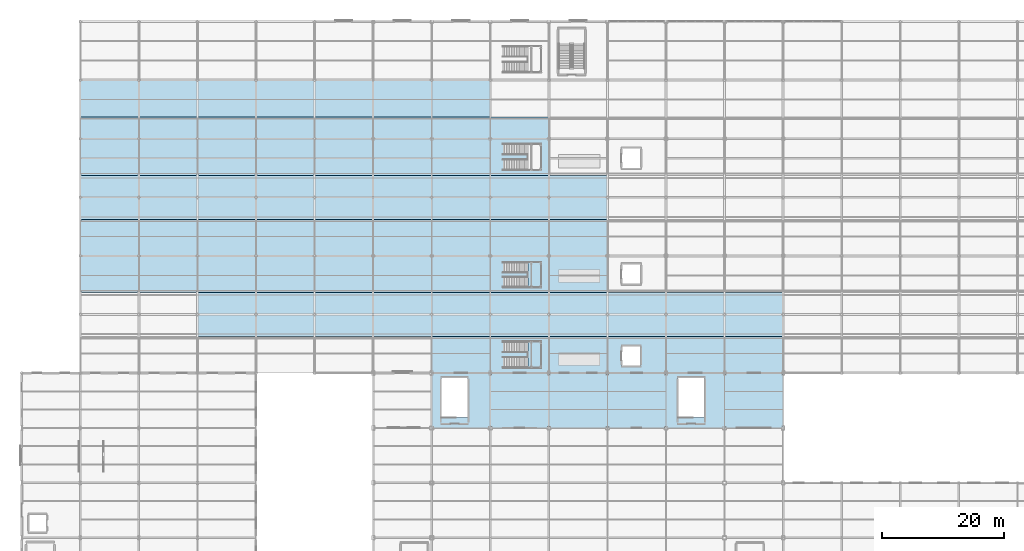
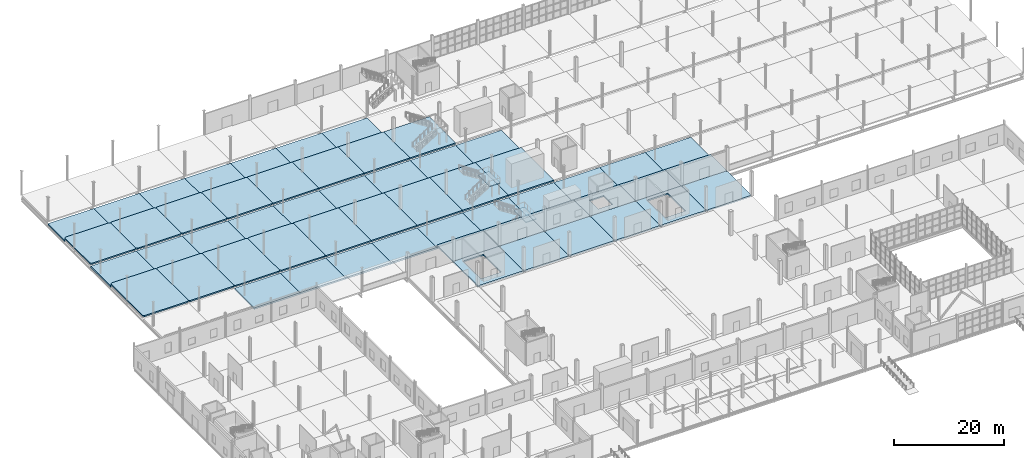
# One storey, part 49 of 85: 57 slabs, 2 elements without a shape of their own.
"""IFC4 building model written with IfcOpenShell, lengths in metres."""

from ifc_helpers import new_model, si_unit, direction, frame, origin, place, context, subcontext, project, spatial, polyline, outline, extrude, material, layer, layer_set, type_object, element, aggregate, save


model = new_model("IFC4")

# Units and contexts
model_context = context("Model", 3, precision=1e-05, world=origin(), true_north=direction((0.0, 1.0)))
body_context = subcontext(model_context, "Body", "Model", "MODEL_VIEW")
ifc_project = project(units=[si_unit("LENGTHUNIT", "METRE"), si_unit("AREAUNIT", "SQUARE_METRE"), si_unit("VOLUMEUNIT", "CUBIC_METRE"), si_unit("PLANEANGLEUNIT", "RADIAN"), si_unit("MASSUNIT", "GRAM", prefix="KILO")], contexts=[model_context])

# Site, building, storey
site_placement = place(None, origin())
site = spatial("IfcSite", under=ifc_project, at=site_placement, CompositionType="ELEMENT")
building_placement = place(site_placement, origin())
building = spatial("IfcBuilding", under=site, at=building_placement, Name="Zarnetskaya Central Station", CompositionType="ELEMENT")
storey_placement = place(building_placement, origin())
storey = spatial("IfcBuildingStorey", under=building, at=storey_placement, Name="L00", CompositionType="ELEMENT", Elevation=0.0)

# Slabs
ifc_material_1 = material(Name="Concrete C30/37", Category="concrete")
ifc_layer_1 = layer(ifc_material_1, 0.320068359375, Name="Concrete C30/37", Category="concrete")
ifc_layer_set_1 = layer_set([ifc_layer_1], Name="Concrete C30/37")
slab_type_1 = type_object("IfcSlabType", Name="SLAB-L00-320", PredefinedType="FLOOR", material=ifc_layer_set_1)
slab_1_placement = place(storey_placement, frame((0.0, 0.0, -0.320068359375)))
element("IfcSlab", 1, at=slab_1_placement, inside=storey, type_object=slab_type_1, Name="L00 slab H-J/8-9", PredefinedType="FLOOR", context=body_context, shape_type="SweptSolid", body=[
    extrude(outline(polyline([(67.199951171875, 58.199951171875), (76.800048828125, 58.199951171875), (76.800048828125, 67.199951171875), (67.199951171875, 67.199951171875), (67.199951171875, 58.199951171875)]), holes=[polyline([(68.800048828125, 59.905029296875), (73.10009765625, 59.905029296875), (73.10009765625, 66.39990234375), (68.800048828125, 66.39990234375), (68.800048828125, 59.905029296875)])]), origin(), (0.0, 0.0, 1.0), 0.320068359375),
])
slab_2_placement = place(storey_placement, frame((0.0, 0.0, -0.320068359375)))
element("IfcSlab", 2, at=slab_2_placement, inside=storey, type_object=slab_type_1, Name="L00 slab J-K/8-9", PredefinedType="FLOOR", context=body_context, shape_type="SweptSolid", body=[
    extrude(outline(polyline([(77.10009765625, 58.199951171875), (86.10009765625, 58.199951171875), (86.39990234375, 58.5), (86.39990234375, 66.89990234375), (86.10009765625, 67.199951171875), (77.10009765625, 67.199951171875), (76.800048828125, 66.89990234375), (76.800048828125, 58.5), (77.10009765625, 58.199951171875)])), origin(), (0.0, 0.0, 1.0), 0.320068359375),
])
slab_3_placement = place(storey_placement, frame((0.0, 0.0, -0.320068359375)))
element("IfcSlab", 3, at=slab_3_placement, inside=storey, type_object=slab_type_1, Name="L00 slab K-L/8-9", PredefinedType="FLOOR", context=body_context, shape_type="SweptSolid", body=[
    extrude(outline(polyline([(86.699951171875, 58.199951171875), (95.699951171875, 58.199951171875), (96.0, 58.5), (96.0, 66.89990234375), (95.699951171875, 67.199951171875), (86.699951171875, 67.199951171875), (86.39990234375, 66.89990234375), (86.39990234375, 58.5), (86.699951171875, 58.199951171875)])), origin(), (0.0, 0.0, 1.0), 0.320068359375),
])
slab_4_placement = place(storey_placement, frame((0.0, 0.0, -0.320068359375)))
element("IfcSlab", 4, at=slab_4_placement, inside=storey, type_object=slab_type_1, Name="L00 slab L-M/8-9", PredefinedType="FLOOR", context=body_context, shape_type="SweptSolid", body=[
    extrude(outline(polyline([(96.300048828125, 58.199951171875), (105.300048828125, 58.199951171875), (105.60009765625, 58.5), (105.60009765625, 66.89990234375), (105.300048828125, 67.199951171875), (96.300048828125, 67.199951171875), (96.0, 66.89990234375), (96.0, 58.5), (96.300048828125, 58.199951171875)])), origin(), (0.0, 0.0, 1.0), 0.320068359375),
])
slab_5_placement = place(storey_placement, frame((0.0, 0.0, -0.320068359375)))
element("IfcSlab", 5, at=slab_5_placement, inside=storey, type_object=slab_type_1, Name="L00 slab M-N/8-9", PredefinedType="FLOOR", context=body_context, shape_type="SweptSolid", body=[
    extrude(outline(polyline([(105.60009765625, 58.199951171875), (115.199951171875, 58.199951171875), (115.199951171875, 67.199951171875), (105.60009765625, 67.199951171875), (105.60009765625, 58.199951171875)]), holes=[polyline([(107.60009765625, 59.905029296875), (111.89990234375, 59.905029296875), (111.89990234375, 66.39990234375), (107.60009765625, 66.39990234375), (107.60009765625, 59.905029296875)])]), origin(), (0.0, 0.0, 1.0), 0.320068359375),
])
slab_6_placement = place(storey_placement, frame((0.0, 0.0, -0.320068359375)))
element("IfcSlab", 6, at=slab_6_placement, inside=storey, type_object=slab_type_1, Name="L00 slab N-P/8-9", PredefinedType="FLOOR", context=body_context, shape_type="SweptSolid", body=[
    extrude(outline(polyline([(115.5, 58.199951171875), (124.5, 58.199951171875), (124.800048828125, 58.5), (124.800048828125, 66.89990234375), (124.5, 67.199951171875), (115.5, 67.199951171875), (115.199951171875, 66.89990234375), (115.199951171875, 58.5), (115.5, 58.199951171875)])), origin(), (0.0, 0.0, 1.0), 0.320068359375),
])
ifc_material_2 = material(Name="Precast concrete C40/50", Category="concrete")
ifc_layer_2 = layer(ifc_material_2, 0.2900390625, Name="Precast concrete C40/50", Category="concrete")
ifc_layer_set_2 = layer_set([ifc_layer_2], Name="Precast concrete C40/50")
slab_type_2 = type_object("IfcSlabType", Name="SLAB-PEXT-290", PredefinedType="FLOOR", material=ifc_layer_set_2)
slab_7_placement = place(storey_placement, frame((0.0, 0.0, -0.2900390625)))
element("IfcSlab", 7, at=slab_7_placement, inside=storey, type_object=slab_type_2, Name="Platform 2 Passenger Boarding Hall deck B-C", PredefinedType="FLOOR", context=body_context, shape_type="SweptSolid", body=[
    extrude(outline(polyline([(9.840087890625, 80.39990234375), (18.9599609375, 80.39990234375), (19.199951171875, 80.639892578125), (19.199951171875, 92.159912109375), (18.9599609375, 92.39990234375), (9.840087890625, 92.39990234375), (9.60009765625, 92.159912109375), (9.60009765625, 80.639892578125), (9.840087890625, 80.39990234375)])), origin(), (0.0, 0.0, 1.0), 0.2900390625),
])
slab_8_placement = place(storey_placement, frame((0.0, 0.0, -0.2900390625)))
element("IfcSlab", 8, at=slab_8_placement, inside=storey, type_object=slab_type_2, Name="Platform 3 Passenger Boarding Hall deck B-C", PredefinedType="FLOOR", context=body_context, shape_type="SweptSolid", body=[
    extrude(outline(polyline([(9.840087890625, 99.60009765625), (18.9599609375, 99.60009765625), (19.199951171875, 99.840087890625), (19.199951171875, 108.9599609375), (18.9599609375, 109.199951171875), (9.840087890625, 109.199951171875), (9.60009765625, 108.9599609375), (9.60009765625, 99.840087890625), (9.840087890625, 99.60009765625)])), origin(), (0.0, 0.0, 1.0), 0.2900390625),
])
slab_9_placement = place(storey_placement, frame((0.0, 0.0, -0.2900390625)))
element("IfcSlab", 9, at=slab_9_placement, inside=storey, type_object=slab_type_2, Name="Platform 2 Passenger Boarding Hall deck C-D", PredefinedType="FLOOR", context=body_context, shape_type="SweptSolid", body=[
    extrude(outline(polyline([(19.43994140625, 80.39990234375), (28.56005859375, 80.39990234375), (28.800048828125, 80.639892578125), (28.800048828125, 92.159912109375), (28.56005859375, 92.39990234375), (19.43994140625, 92.39990234375), (19.199951171875, 92.159912109375), (19.199951171875, 80.639892578125), (19.43994140625, 80.39990234375)])), origin(), (0.0, 0.0, 1.0), 0.2900390625),
])
slab_10_placement = place(storey_placement, frame((0.0, 0.0, -0.2900390625)))
element("IfcSlab", 10, at=slab_10_placement, inside=storey, type_object=slab_type_2, Name="Platform 3 Passenger Boarding Hall deck C-D", PredefinedType="FLOOR", context=body_context, shape_type="SweptSolid", body=[
    extrude(outline(polyline([(19.43994140625, 99.60009765625), (28.56005859375, 99.60009765625), (28.800048828125, 99.840087890625), (28.800048828125, 108.9599609375), (28.56005859375, 109.199951171875), (19.43994140625, 109.199951171875), (19.199951171875, 108.9599609375), (19.199951171875, 99.840087890625), (19.43994140625, 99.60009765625)])), origin(), (0.0, 0.0, 1.0), 0.2900390625),
])
slab_11_placement = place(storey_placement, frame((0.0, 0.0, -0.2900390625)))
element("IfcSlab", 11, at=slab_11_placement, inside=storey, type_object=slab_type_2, Name="Platform 2 Passenger Boarding Hall deck D-E", PredefinedType="FLOOR", context=body_context, shape_type="SweptSolid", body=[
    extrude(outline(polyline([(29.0400390625, 80.39990234375), (38.159912109375, 80.39990234375), (38.39990234375, 80.639892578125), (38.39990234375, 92.159912109375), (38.159912109375, 92.39990234375), (29.0400390625, 92.39990234375), (28.800048828125, 92.159912109375), (28.800048828125, 80.639892578125), (29.0400390625, 80.39990234375)])), origin(), (0.0, 0.0, 1.0), 0.2900390625),
])
slab_12_placement = place(storey_placement, frame((0.0, 0.0, -0.2900390625)))
element("IfcSlab", 12, at=slab_12_placement, inside=storey, type_object=slab_type_2, Name="Platform 3 Passenger Boarding Hall deck D-E", PredefinedType="FLOOR", context=body_context, shape_type="SweptSolid", body=[
    extrude(outline(polyline([(29.0400390625, 99.60009765625), (38.159912109375, 99.60009765625), (38.39990234375, 99.840087890625), (38.39990234375, 108.9599609375), (38.159912109375, 109.199951171875), (29.0400390625, 109.199951171875), (28.800048828125, 108.9599609375), (28.800048828125, 99.840087890625), (29.0400390625, 99.60009765625)])), origin(), (0.0, 0.0, 1.0), 0.2900390625),
])
slab_13_placement = place(storey_placement, frame((0.0, 0.0, -0.2900390625)))
element("IfcSlab", 13, at=slab_13_placement, inside=storey, type_object=slab_type_2, Name="Platform 2 Passenger Boarding Hall deck E-F", PredefinedType="FLOOR", context=body_context, shape_type="SweptSolid", body=[
    extrude(outline(polyline([(38.639892578125, 80.39990234375), (47.760009765625, 80.39990234375), (48.0, 80.639892578125), (48.0, 92.159912109375), (47.760009765625, 92.39990234375), (38.639892578125, 92.39990234375), (38.39990234375, 92.159912109375), (38.39990234375, 80.639892578125), (38.639892578125, 80.39990234375)])), origin(), (0.0, 0.0, 1.0), 0.2900390625),
])
slab_14_placement = place(storey_placement, frame((0.0, 0.0, -0.2900390625)))
element("IfcSlab", 14, at=slab_14_placement, inside=storey, type_object=slab_type_2, Name="Platform 3 Passenger Boarding Hall deck E-F", PredefinedType="FLOOR", context=body_context, shape_type="SweptSolid", body=[
    extrude(outline(polyline([(38.639892578125, 99.60009765625), (47.760009765625, 99.60009765625), (48.0, 99.840087890625), (48.0, 108.9599609375), (47.760009765625, 109.199951171875), (38.639892578125, 109.199951171875), (38.39990234375, 108.9599609375), (38.39990234375, 99.840087890625), (38.639892578125, 99.60009765625)])), origin(), (0.0, 0.0, 1.0), 0.2900390625),
])
ifc_layer_3 = layer(ifc_material_2, 0.300048828125, Name="Precast concrete C40/50", Category="concrete")
ifc_layer_set_3 = layer_set([ifc_layer_3], Name="Precast concrete C40/50")
slab_type_3 = type_object("IfcSlabType", Name="SLAB-PLAT-300", PredefinedType="FLOOR", material=ifc_layer_set_3)
slab_15_placement = place(storey_placement, frame((0.0, 0.0, -0.300048828125)))
element("IfcSlab", 15, at=slab_15_placement, inside=storey, type_object=slab_type_3, Name="Platform 2 Passenger Boarding Hall deck F-G", PredefinedType="FLOOR", context=body_context, shape_type="SweptSolid", body=[
    extrude(outline(polyline([(48.0, 80.39990234375), (57.60009765625, 80.39990234375), (57.60009765625, 92.39990234375), (48.0, 92.39990234375), (48.0, 80.39990234375)])), origin(), (0.0, 0.0, 1.0), 0.300048828125),
])
slab_16_placement = place(storey_placement, frame((0.0, 0.0, -0.300048828125)))
element("IfcSlab", 16, at=slab_16_placement, inside=storey, type_object=slab_type_3, Name="Platform 3 Passenger Boarding Hall deck F-G", PredefinedType="FLOOR", context=body_context, shape_type="SweptSolid", body=[
    extrude(outline(polyline([(48.0, 99.60009765625), (57.60009765625, 99.60009765625), (57.60009765625, 109.199951171875), (48.0, 109.199951171875), (48.0, 99.60009765625)])), origin(), (0.0, 0.0, 1.0), 0.300048828125),
])
slab_17_placement = place(storey_placement, frame((0.0, 0.0, -0.300048828125)))
element("IfcSlab", 17, at=slab_17_placement, inside=storey, type_object=slab_type_3, Name="Platform 2 Passenger Boarding Hall deck G-H", PredefinedType="FLOOR", context=body_context, shape_type="SweptSolid", body=[
    extrude(outline(polyline([(57.60009765625, 80.39990234375), (67.199951171875, 80.39990234375), (67.199951171875, 92.39990234375), (57.60009765625, 92.39990234375), (57.60009765625, 80.39990234375)])), origin(), (0.0, 0.0, 1.0), 0.300048828125),
])
slab_18_placement = place(storey_placement, frame((0.0, 0.0, -0.300048828125)))
element("IfcSlab", 18, at=slab_18_placement, inside=storey, type_object=slab_type_3, Name="Platform 3 Passenger Boarding Hall deck G-H", PredefinedType="FLOOR", context=body_context, shape_type="SweptSolid", body=[
    extrude(outline(polyline([(57.60009765625, 99.60009765625), (67.199951171875, 99.60009765625), (67.199951171875, 109.199951171875), (57.60009765625, 109.199951171875), (57.60009765625, 99.60009765625)])), origin(), (0.0, 0.0, 1.0), 0.300048828125),
])
slab_19_placement = place(storey_placement, frame((0.0, 0.0, -0.300048828125)))
element("IfcSlab", 19, at=slab_19_placement, inside=storey, type_object=slab_type_3, Name="Platform 1 Passenger Boarding Hall deck H-J", PredefinedType="FLOOR", context=body_context, shape_type="SweptSolid", body=[
    extrude(outline(polyline([(67.199951171875, 67.199951171875), (76.800048828125, 67.199951171875), (76.800048828125, 73.199951171875), (67.199951171875, 73.199951171875), (67.199951171875, 67.199951171875)])), origin(), (0.0, 0.0, 1.0), 0.300048828125),
])
slab_20_placement = place(storey_placement, frame((0.0, 0.0, -0.300048828125)))
element("IfcSlab", 20, at=slab_20_placement, inside=storey, type_object=slab_type_3, Name="Platform 2 Passenger Boarding Hall deck H-J", PredefinedType="FLOOR", context=body_context, shape_type="SweptSolid", body=[
    extrude(outline(polyline([(67.199951171875, 80.39990234375), (76.800048828125, 80.39990234375), (76.800048828125, 92.39990234375), (67.199951171875, 92.39990234375), (67.199951171875, 80.39990234375)])), origin(), (0.0, 0.0, 1.0), 0.300048828125),
])
slab_21_placement = place(storey_placement, frame((0.0, 0.0, -0.300048828125)))
element("IfcSlab", 21, at=slab_21_placement, inside=storey, type_object=slab_type_3, Name="Platform 3 Passenger Boarding Hall deck H-J", PredefinedType="FLOOR", context=body_context, shape_type="SweptSolid", body=[
    extrude(outline(polyline([(67.199951171875, 99.60009765625), (76.800048828125, 99.60009765625), (76.800048828125, 109.199951171875), (67.199951171875, 109.199951171875), (67.199951171875, 99.60009765625)])), origin(), (0.0, 0.0, 1.0), 0.300048828125),
])
slab_22_placement = place(storey_placement, frame((0.0, 0.0, -0.300048828125)))
element("IfcSlab", 22, at=slab_22_placement, inside=storey, type_object=slab_type_3, Name="Platform 1 Passenger Boarding Hall deck J-K", PredefinedType="FLOOR", context=body_context, shape_type="SweptSolid", body=[
    extrude(outline(polyline([(76.800048828125, 67.199951171875), (86.39990234375, 67.199951171875), (86.39990234375, 73.199951171875), (76.800048828125, 73.199951171875), (76.800048828125, 67.199951171875)])), origin(), (0.0, 0.0, 1.0), 0.300048828125),
])
slab_23_placement = place(storey_placement, frame((0.0, 0.0, -0.300048828125)))
element("IfcSlab", 23, at=slab_23_placement, inside=storey, type_object=slab_type_3, Name="Platform 2 Passenger Boarding Hall deck J-K", PredefinedType="FLOOR", context=body_context, shape_type="SweptSolid", body=[
    extrude(outline(polyline([(76.800048828125, 80.39990234375), (86.39990234375, 80.39990234375), (86.39990234375, 92.39990234375), (76.800048828125, 92.39990234375), (76.800048828125, 80.39990234375)])), origin(), (0.0, 0.0, 1.0), 0.300048828125),
])
slab_24_placement = place(storey_placement, frame((0.0, 0.0, -0.300048828125)))
element("IfcSlab", 24, at=slab_24_placement, inside=storey, type_object=slab_type_3, Name="Platform 3 Passenger Boarding Hall deck J-K", PredefinedType="FLOOR", context=body_context, shape_type="SweptSolid", body=[
    extrude(outline(polyline([(76.800048828125, 99.60009765625), (86.39990234375, 99.60009765625), (86.39990234375, 109.199951171875), (76.800048828125, 109.199951171875), (76.800048828125, 99.60009765625)])), origin(), (0.0, 0.0, 1.0), 0.300048828125),
])
slab_25_placement = place(storey_placement, frame((0.0, 0.0, -0.300048828125)))
element("IfcSlab", 25, at=slab_25_placement, inside=storey, type_object=slab_type_3, Name="Platform 1 Passenger Boarding Hall deck K-L", PredefinedType="FLOOR", context=body_context, shape_type="SweptSolid", body=[
    extrude(outline(polyline([(86.39990234375, 67.199951171875), (96.0, 67.199951171875), (96.0, 73.199951171875), (86.39990234375, 73.199951171875), (86.39990234375, 67.199951171875)])), origin(), (0.0, 0.0, 1.0), 0.300048828125),
])
slab_26_placement = place(storey_placement, frame((0.0, 0.0, -0.300048828125)))
element("IfcSlab", 26, at=slab_26_placement, inside=storey, type_object=slab_type_3, Name="Platform 2 Passenger Boarding Hall deck K-L", PredefinedType="FLOOR", context=body_context, shape_type="SweptSolid", body=[
    extrude(outline(polyline([(86.39990234375, 80.39990234375), (96.0, 80.39990234375), (96.0, 92.39990234375), (86.39990234375, 92.39990234375), (86.39990234375, 80.39990234375)])), origin(), (0.0, 0.0, 1.0), 0.300048828125),
])
slab_27_placement = place(storey_placement, frame((0.0, 0.0, -0.300048828125)))
element("IfcSlab", 27, at=slab_27_placement, inside=storey, type_object=slab_type_3, Name="Platform 1 Passenger Boarding Hall deck L-M", PredefinedType="FLOOR", context=body_context, shape_type="SweptSolid", body=[
    extrude(outline(polyline([(96.0, 67.199951171875), (105.60009765625, 67.199951171875), (105.60009765625, 73.199951171875), (96.0, 73.199951171875), (96.0, 67.199951171875)]), holes=[polyline([(98.39990234375, 68.39990234375), (101.39990234375, 68.39990234375), (101.39990234375, 71.60009765625), (98.39990234375, 71.60009765625), (98.39990234375, 68.39990234375)])]), origin(), (0.0, 0.0, 1.0), 0.300048828125),
])
slab_28_placement = place(storey_placement, frame((0.0, 0.0, -0.300048828125)))
element("IfcSlab", 28, at=slab_28_placement, inside=storey, type_object=slab_type_3, Name="Platform 1 Passenger Boarding Hall deck M-N", PredefinedType="FLOOR", context=body_context, shape_type="SweptSolid", body=[
    extrude(outline(polyline([(105.60009765625, 67.199951171875), (115.199951171875, 67.199951171875), (115.199951171875, 73.199951171875), (105.60009765625, 73.199951171875), (105.60009765625, 67.199951171875)])), origin(), (0.0, 0.0, 1.0), 0.300048828125),
])
slab_29_placement = place(storey_placement, frame((0.0, 0.0, -0.300048828125)))
element("IfcSlab", 29, at=slab_29_placement, inside=storey, type_object=slab_type_3, Name="Platform 1 Passenger Boarding Hall deck N-P", PredefinedType="FLOOR", context=body_context, shape_type="SweptSolid", body=[
    extrude(outline(polyline([(115.199951171875, 67.199951171875), (124.800048828125, 67.199951171875), (124.800048828125, 73.199951171875), (115.199951171875, 73.199951171875), (115.199951171875, 67.199951171875)])), origin(), (0.0, 0.0, 1.0), 0.300048828125),
])

# Stair, slab
stair_type_1 = type_object("IfcStairType", Name="STAIR-ASSY-11", PredefinedType="HALF_TURN_STAIR", material=ifc_material_1)
stair_1_placement = place(storey_placement, origin())
stair_1 = element("IfcStair", 30, at=stair_1_placement, inside=storey, type_object=stair_type_1, Name="Exit Stair ST-P1 L00", PredefinedType="HALF_TURN_STAIR")
ifc_layer_4 = layer(ifc_material_1, 0.18505859375, Name="Concrete C30/37", Category="concrete")
ifc_layer_set_4 = layer_set([ifc_layer_4], Name="Concrete C30/37")
slab_type_4 = type_object("IfcSlabType", Name="SLAB-STAIR-LND", PredefinedType="LANDING", material=ifc_layer_set_4)
slab_30_placement = place(storey_placement, frame((0.0, 0.0, 2.514892578125)))
slab_30 = element("IfcSlab", 31, at=slab_30_placement, type_object=slab_type_4, Name="ST-12 landing 1", PredefinedType="LANDING", context=body_context, shape_type="SweptSolid", body=[
    extrude(outline(polyline([(82.945068359375, 68.0), (85.199951171875, 68.0), (85.199951171875, 72.39990234375), (82.945068359375, 72.39990234375), (82.945068359375, 68.0)])), origin(), (0.0, 0.0, 1.0), 0.18505859375),
])
aggregate(stair_1, [slab_30])

stair_type_2 = type_object("IfcStairType", Name="STAIR-ASSY-01", PredefinedType="HALF_TURN_STAIR", material=ifc_material_1)
stair_2_placement = place(storey_placement, origin())
stair_2 = element("IfcStair", 32, at=stair_2_placement, inside=storey, type_object=stair_type_2, Name="Exit Stair ST-P2 L00", PredefinedType="HALF_TURN_STAIR")
slab_31_placement = place(storey_placement, frame((0.0, 0.0, 2.514892578125)))
slab_31 = element("IfcSlab", 33, at=slab_31_placement, type_object=slab_type_4, Name="ST-03 landing 1", PredefinedType="LANDING", context=body_context, shape_type="SweptSolid", body=[
    extrude(outline(polyline([(82.945068359375, 81.199951171875), (85.199951171875, 81.199951171875), (85.199951171875, 85.39990234375), (82.945068359375, 85.39990234375), (82.945068359375, 81.199951171875)])), origin(), (0.0, 0.0, 1.0), 0.18505859375),
])
aggregate(stair_2, [slab_31])

# Slabs
ifc_layer_5 = layer(ifc_material_1, 0.360107421875, Name="Concrete C30/37", Category="concrete")
ifc_layer_set_5 = layer_set([ifc_layer_5], Name="Concrete C30/37")
slab_type_5 = type_object("IfcSlabType", Name="SLAB-TRK-360", PredefinedType="BASESLAB", material=ifc_layer_set_5)
slab_32_placement = place(storey_placement, frame((0.0, 0.0, -0.909912109375)))
element("IfcSlab", 34, at=slab_32_placement, inside=storey, type_object=slab_type_5, Name="Rail Track Trough 3-4 slab B-C", PredefinedType="BASESLAB", context=body_context, shape_type="SweptSolid", body=[
    extrude(outline(polyline([(9.60009765625, 92.39990234375), (19.199951171875, 92.39990234375), (19.199951171875, 99.60009765625), (9.60009765625, 99.60009765625), (9.60009765625, 92.39990234375)])), origin(), (0.0, 0.0, 1.0), 0.35986328125),
])
slab_33_placement = place(storey_placement, frame((0.0, 0.0, -0.909912109375)))
element("IfcSlab", 35, at=slab_33_placement, inside=storey, type_object=slab_type_5, Name="Rail Track Trough 5-6 slab B-C", PredefinedType="BASESLAB", context=body_context, shape_type="SweptSolid", body=[
    extrude(outline(polyline([(9.60009765625, 109.199951171875), (19.199951171875, 109.199951171875), (19.199951171875, 115.199951171875), (9.60009765625, 115.199951171875), (9.60009765625, 109.199951171875)])), origin(), (0.0, 0.0, 1.0), 0.35986328125),
])
slab_34_placement = place(storey_placement, frame((0.0, 0.0, -0.909912109375)))
element("IfcSlab", 36, at=slab_34_placement, inside=storey, type_object=slab_type_5, Name="Rail Track Trough 3-4 slab C-D", PredefinedType="BASESLAB", context=body_context, shape_type="SweptSolid", body=[
    extrude(outline(polyline([(19.199951171875, 92.39990234375), (28.800048828125, 92.39990234375), (28.800048828125, 99.60009765625), (19.199951171875, 99.60009765625), (19.199951171875, 92.39990234375)])), origin(), (0.0, 0.0, 1.0), 0.35986328125),
])
slab_35_placement = place(storey_placement, frame((0.0, 0.0, -0.909912109375)))
element("IfcSlab", 37, at=slab_35_placement, inside=storey, type_object=slab_type_5, Name="Rail Track Trough 5-6 slab C-D", PredefinedType="BASESLAB", context=body_context, shape_type="SweptSolid", body=[
    extrude(outline(polyline([(19.199951171875, 109.199951171875), (28.800048828125, 109.199951171875), (28.800048828125, 115.199951171875), (19.199951171875, 115.199951171875), (19.199951171875, 109.199951171875)])), origin(), (0.0, 0.0, 1.0), 0.35986328125),
])
slab_36_placement = place(storey_placement, frame((0.0, 0.0, -0.909912109375)))
element("IfcSlab", 38, at=slab_36_placement, inside=storey, type_object=slab_type_5, Name="Rail Track Trough 1-2 slab D-E", PredefinedType="BASESLAB", context=body_context, shape_type="SweptSolid", body=[
    extrude(outline(polyline([(28.800048828125, 73.199951171875), (38.39990234375, 73.199951171875), (38.39990234375, 80.39990234375), (28.800048828125, 80.39990234375), (28.800048828125, 73.199951171875)])), origin(), (0.0, 0.0, 1.0), 0.35986328125),
])
slab_37_placement = place(storey_placement, frame((0.0, 0.0, -0.909912109375)))
element("IfcSlab", 39, at=slab_37_placement, inside=storey, type_object=slab_type_5, Name="Rail Track Trough 3-4 slab D-E", PredefinedType="BASESLAB", context=body_context, shape_type="SweptSolid", body=[
    extrude(outline(polyline([(28.800048828125, 92.39990234375), (38.39990234375, 92.39990234375), (38.39990234375, 99.60009765625), (28.800048828125, 99.60009765625), (28.800048828125, 92.39990234375)])), origin(), (0.0, 0.0, 1.0), 0.35986328125),
])
slab_38_placement = place(storey_placement, frame((0.0, 0.0, -0.909912109375)))
element("IfcSlab", 40, at=slab_38_placement, inside=storey, type_object=slab_type_5, Name="Rail Track Trough 5-6 slab D-E", PredefinedType="BASESLAB", context=body_context, shape_type="SweptSolid", body=[
    extrude(outline(polyline([(28.800048828125, 109.199951171875), (38.39990234375, 109.199951171875), (38.39990234375, 115.199951171875), (28.800048828125, 115.199951171875), (28.800048828125, 109.199951171875)])), origin(), (0.0, 0.0, 1.0), 0.35986328125),
])
slab_39_placement = place(storey_placement, frame((0.0, 0.0, -0.909912109375)))
element("IfcSlab", 41, at=slab_39_placement, inside=storey, type_object=slab_type_5, Name="Rail Track Trough 1-2 slab E-F", PredefinedType="BASESLAB", context=body_context, shape_type="SweptSolid", body=[
    extrude(outline(polyline([(38.39990234375, 73.199951171875), (48.0, 73.199951171875), (48.0, 80.39990234375), (38.39990234375, 80.39990234375), (38.39990234375, 73.199951171875)])), origin(), (0.0, 0.0, 1.0), 0.35986328125),
])
slab_40_placement = place(storey_placement, frame((0.0, 0.0, -0.909912109375)))
element("IfcSlab", 42, at=slab_40_placement, inside=storey, type_object=slab_type_5, Name="Rail Track Trough 3-4 slab E-F", PredefinedType="BASESLAB", context=body_context, shape_type="SweptSolid", body=[
    extrude(outline(polyline([(38.39990234375, 92.39990234375), (48.0, 92.39990234375), (48.0, 99.60009765625), (38.39990234375, 99.60009765625), (38.39990234375, 92.39990234375)])), origin(), (0.0, 0.0, 1.0), 0.35986328125),
])
slab_41_placement = place(storey_placement, frame((0.0, 0.0, -0.909912109375)))
element("IfcSlab", 43, at=slab_41_placement, inside=storey, type_object=slab_type_5, Name="Rail Track Trough 5-6 slab E-F", PredefinedType="BASESLAB", context=body_context, shape_type="SweptSolid", body=[
    extrude(outline(polyline([(38.39990234375, 109.199951171875), (48.0, 109.199951171875), (48.0, 115.199951171875), (38.39990234375, 115.199951171875), (38.39990234375, 109.199951171875)])), origin(), (0.0, 0.0, 1.0), 0.35986328125),
])
slab_42_placement = place(storey_placement, frame((0.0, 0.0, -0.909912109375)))
element("IfcSlab", 44, at=slab_42_placement, inside=storey, type_object=slab_type_5, Name="Rail Track Trough 1-2 slab F-G", PredefinedType="BASESLAB", context=body_context, shape_type="SweptSolid", body=[
    extrude(outline(polyline([(48.0, 73.199951171875), (57.60009765625, 73.199951171875), (57.60009765625, 80.39990234375), (48.0, 80.39990234375), (48.0, 73.199951171875)])), origin(), (0.0, 0.0, 1.0), 0.35986328125),
])
slab_43_placement = place(storey_placement, frame((0.0, 0.0, -0.909912109375)))
element("IfcSlab", 45, at=slab_43_placement, inside=storey, type_object=slab_type_5, Name="Rail Track Trough 3-4 slab F-G", PredefinedType="BASESLAB", context=body_context, shape_type="SweptSolid", body=[
    extrude(outline(polyline([(48.0, 92.39990234375), (57.60009765625, 92.39990234375), (57.60009765625, 99.60009765625), (48.0, 99.60009765625), (48.0, 92.39990234375)])), origin(), (0.0, 0.0, 1.0), 0.35986328125),
])
slab_44_placement = place(storey_placement, frame((0.0, 0.0, -0.909912109375)))
element("IfcSlab", 46, at=slab_44_placement, inside=storey, type_object=slab_type_5, Name="Rail Track Trough 5-6 slab F-G", PredefinedType="BASESLAB", context=body_context, shape_type="SweptSolid", body=[
    extrude(outline(polyline([(48.0, 109.199951171875), (57.60009765625, 109.199951171875), (57.60009765625, 115.199951171875), (48.0, 115.199951171875), (48.0, 109.199951171875)])), origin(), (0.0, 0.0, 1.0), 0.35986328125),
])
slab_45_placement = place(storey_placement, frame((0.0, 0.0, -0.909912109375)))
element("IfcSlab", 47, at=slab_45_placement, inside=storey, type_object=slab_type_5, Name="Rail Track Trough 1-2 slab G-H", PredefinedType="BASESLAB", context=body_context, shape_type="SweptSolid", body=[
    extrude(outline(polyline([(57.60009765625, 73.199951171875), (67.199951171875, 73.199951171875), (67.199951171875, 80.39990234375), (57.60009765625, 80.39990234375), (57.60009765625, 73.199951171875)])), origin(), (0.0, 0.0, 1.0), 0.35986328125),
])
slab_46_placement = place(storey_placement, frame((0.0, 0.0, -0.909912109375)))
element("IfcSlab", 48, at=slab_46_placement, inside=storey, type_object=slab_type_5, Name="Rail Track Trough 3-4 slab G-H", PredefinedType="BASESLAB", context=body_context, shape_type="SweptSolid", body=[
    extrude(outline(polyline([(57.60009765625, 92.39990234375), (67.199951171875, 92.39990234375), (67.199951171875, 99.60009765625), (57.60009765625, 99.60009765625), (57.60009765625, 92.39990234375)])), origin(), (0.0, 0.0, 1.0), 0.35986328125),
])
slab_47_placement = place(storey_placement, frame((0.0, 0.0, -0.909912109375)))
element("IfcSlab", 49, at=slab_47_placement, inside=storey, type_object=slab_type_5, Name="Rail Track Trough 5-6 slab G-H", PredefinedType="BASESLAB", context=body_context, shape_type="SweptSolid", body=[
    extrude(outline(polyline([(57.60009765625, 109.199951171875), (67.199951171875, 109.199951171875), (67.199951171875, 115.199951171875), (57.60009765625, 115.199951171875), (57.60009765625, 109.199951171875)])), origin(), (0.0, 0.0, 1.0), 0.35986328125),
])
slab_48_placement = place(storey_placement, frame((0.0, 0.0, -0.909912109375)))
element("IfcSlab", 50, at=slab_48_placement, inside=storey, type_object=slab_type_5, Name="Rail Track Trough 1-2 slab H-J", PredefinedType="BASESLAB", context=body_context, shape_type="SweptSolid", body=[
    extrude(outline(polyline([(67.199951171875, 73.199951171875), (76.800048828125, 73.199951171875), (76.800048828125, 80.39990234375), (67.199951171875, 80.39990234375), (67.199951171875, 73.199951171875)])), origin(), (0.0, 0.0, 1.0), 0.35986328125),
])
slab_49_placement = place(storey_placement, frame((0.0, 0.0, -0.909912109375)))
element("IfcSlab", 51, at=slab_49_placement, inside=storey, type_object=slab_type_5, Name="Rail Track Trough 3-4 slab H-J", PredefinedType="BASESLAB", context=body_context, shape_type="SweptSolid", body=[
    extrude(outline(polyline([(67.199951171875, 92.39990234375), (76.800048828125, 92.39990234375), (76.800048828125, 99.60009765625), (67.199951171875, 99.60009765625), (67.199951171875, 92.39990234375)])), origin(), (0.0, 0.0, 1.0), 0.35986328125),
])
slab_50_placement = place(storey_placement, frame((0.0, 0.0, -0.909912109375)))
element("IfcSlab", 52, at=slab_50_placement, inside=storey, type_object=slab_type_5, Name="Rail Track Trough 5-6 slab H-J", PredefinedType="BASESLAB", context=body_context, shape_type="SweptSolid", body=[
    extrude(outline(polyline([(67.199951171875, 109.199951171875), (76.800048828125, 109.199951171875), (76.800048828125, 115.199951171875), (67.199951171875, 115.199951171875), (67.199951171875, 109.199951171875)])), origin(), (0.0, 0.0, 1.0), 0.35986328125),
])
slab_51_placement = place(storey_placement, frame((0.0, 0.0, -0.909912109375)))
element("IfcSlab", 53, at=slab_51_placement, inside=storey, type_object=slab_type_5, Name="Rail Track Trough 1-2 slab J-K", PredefinedType="BASESLAB", context=body_context, shape_type="SweptSolid", body=[
    extrude(outline(polyline([(76.800048828125, 73.199951171875), (86.39990234375, 73.199951171875), (86.39990234375, 80.39990234375), (76.800048828125, 80.39990234375), (76.800048828125, 73.199951171875)])), origin(), (0.0, 0.0, 1.0), 0.35986328125),
])
slab_52_placement = place(storey_placement, frame((0.0, 0.0, -0.909912109375)))
element("IfcSlab", 54, at=slab_52_placement, inside=storey, type_object=slab_type_5, Name="Rail Track Trough 3-4 slab J-K", PredefinedType="BASESLAB", context=body_context, shape_type="SweptSolid", body=[
    extrude(outline(polyline([(76.800048828125, 92.39990234375), (86.39990234375, 92.39990234375), (86.39990234375, 99.60009765625), (76.800048828125, 99.60009765625), (76.800048828125, 92.39990234375)])), origin(), (0.0, 0.0, 1.0), 0.35986328125),
])
slab_53_placement = place(storey_placement, frame((0.0, 0.0, -0.909912109375)))
element("IfcSlab", 55, at=slab_53_placement, inside=storey, type_object=slab_type_5, Name="Rail Track Trough 1-2 slab K-L", PredefinedType="BASESLAB", context=body_context, shape_type="SweptSolid", body=[
    extrude(outline(polyline([(86.39990234375, 73.199951171875), (96.0, 73.199951171875), (96.0, 80.39990234375), (86.39990234375, 80.39990234375), (86.39990234375, 73.199951171875)])), origin(), (0.0, 0.0, 1.0), 0.35986328125),
])
slab_54_placement = place(storey_placement, frame((0.0, 0.0, -0.909912109375)))
element("IfcSlab", 56, at=slab_54_placement, inside=storey, type_object=slab_type_5, Name="Rail Track Trough 3-4 slab K-L", PredefinedType="BASESLAB", context=body_context, shape_type="SweptSolid", body=[
    extrude(outline(polyline([(86.39990234375, 92.39990234375), (96.0, 92.39990234375), (96.0, 99.60009765625), (86.39990234375, 99.60009765625), (86.39990234375, 92.39990234375)])), origin(), (0.0, 0.0, 1.0), 0.35986328125),
])
slab_55_placement = place(storey_placement, frame((0.0, 0.0, -0.909912109375)))
element("IfcSlab", 57, at=slab_55_placement, inside=storey, type_object=slab_type_5, Name="Rail Track Trough 1-2 slab L-M", PredefinedType="BASESLAB", context=body_context, shape_type="SweptSolid", body=[
    extrude(outline(polyline([(96.0, 73.199951171875), (105.60009765625, 73.199951171875), (105.60009765625, 80.39990234375), (96.0, 80.39990234375), (96.0, 73.199951171875)])), origin(), (0.0, 0.0, 1.0), 0.35986328125),
])
slab_56_placement = place(storey_placement, frame((0.0, 0.0, -0.909912109375)))
element("IfcSlab", 58, at=slab_56_placement, inside=storey, type_object=slab_type_5, Name="Rail Track Trough 1-2 slab M-N", PredefinedType="BASESLAB", context=body_context, shape_type="SweptSolid", body=[
    extrude(outline(polyline([(105.60009765625, 73.199951171875), (115.199951171875, 73.199951171875), (115.199951171875, 80.39990234375), (105.60009765625, 80.39990234375), (105.60009765625, 73.199951171875)])), origin(), (0.0, 0.0, 1.0), 0.35986328125),
])
slab_57_placement = place(storey_placement, frame((0.0, 0.0, -0.909912109375)))
element("IfcSlab", 59, at=slab_57_placement, inside=storey, type_object=slab_type_5, Name="Rail Track Trough 1-2 slab N-P", PredefinedType="BASESLAB", context=body_context, shape_type="SweptSolid", body=[
    extrude(outline(polyline([(115.199951171875, 73.199951171875), (124.800048828125, 73.199951171875), (124.800048828125, 80.39990234375), (115.199951171875, 80.39990234375), (115.199951171875, 73.199951171875)])), origin(), (0.0, 0.0, 1.0), 0.35986328125),
])

save(model, "model.ifc")
